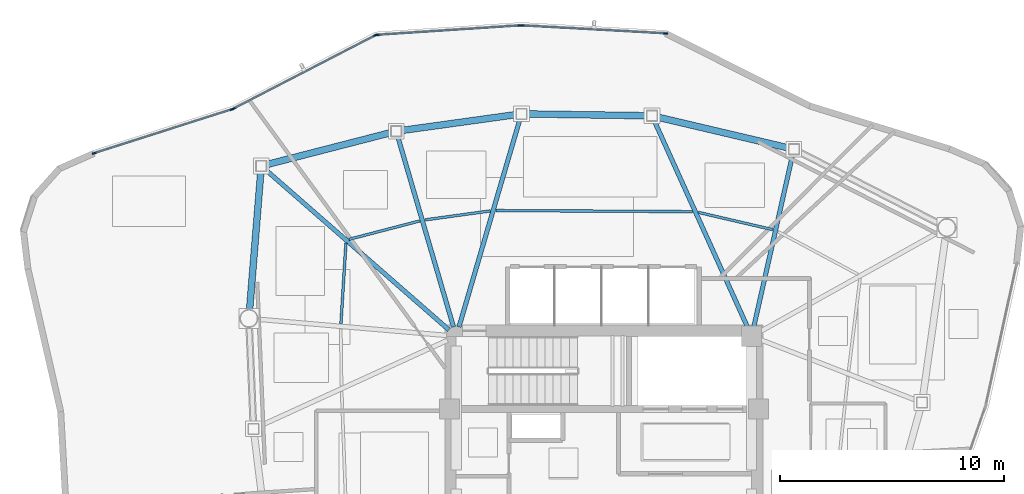
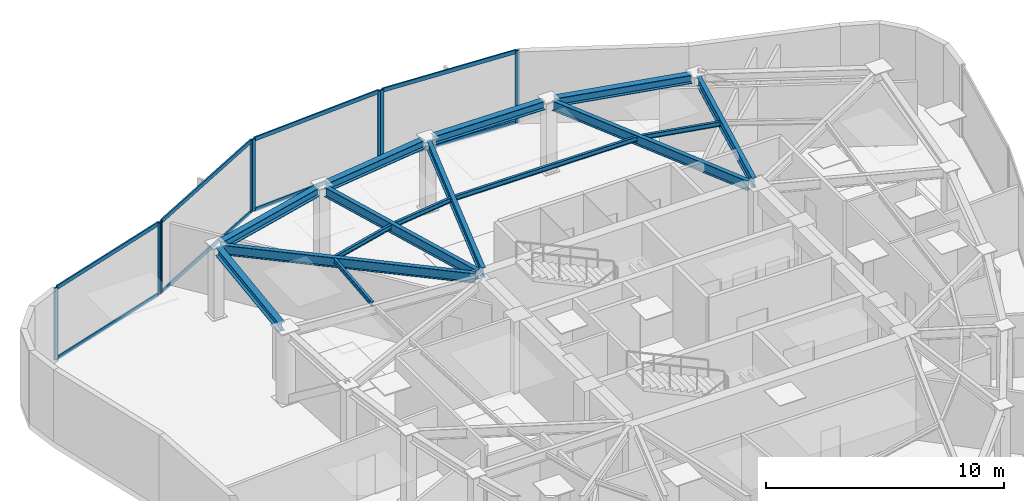
# One storey, part 5 of 13: 16 members, 15 beams, 4 elements without a shape of their own.
"""IFC4 building model written with IfcOpenShell, lengths in metres."""

from ifc_helpers import new_model, si_unit, direction, frame, origin, origin_2d, place, context, subcontext, project, spatial, hollow_rectangle, i_section, extrude, source, transform, mapped, material, layer, layer_set, material_profile, profile_set, type_object, type_shapes, element, aggregate, save


model = new_model("IFC4")

# Units and contexts
model_context = context("Model", 3, precision=1e-05, world=origin(), true_north=direction((0.0, 1.0)))
body_context = subcontext(model_context, "Body", "Model", "MODEL_VIEW")
ifc_project = project(units=[si_unit("LENGTHUNIT", "METRE"), si_unit("AREAUNIT", "SQUARE_METRE"), si_unit("VOLUMEUNIT", "CUBIC_METRE"), si_unit("PLANEANGLEUNIT", "RADIAN"), si_unit("MASSUNIT", "GRAM", prefix="KILO")], contexts=[model_context])

# Site, building, storey
site_placement = place(None, origin())
site = spatial("IfcSite", under=ifc_project, at=site_placement, CompositionType="ELEMENT")
building_placement = place(site_placement, origin())
building = spatial("IfcBuilding", under=site, at=building_placement, Name="Tavelor Broadcast Tower", CompositionType="ELEMENT")
storey_placement = place(building_placement, frame((0.0, 0.0, 297.5)))
storey = spatial("IfcBuildingStorey", under=building, at=storey_placement, Name="L71", CompositionType="ELEMENT", Elevation=297.5)

# Beams
ifc_material_1 = material(Name="Steel S355", Category="steel")
ifc_material_profile_1 = material_profile(ifc_material_1, i_section(OverallWidth=0.1201171875, OverallDepth=0.239990234375, WebThickness=0.006103515625, FlangeThickness=0.009765625, at=origin_2d()), Name="IPE 240")
ifc_profile_set_1 = profile_set([ifc_material_profile_1], Name="Steel S355")
beam_type_1 = type_object("IfcBeamType", Name="Composite Floor Joist T7 IPE 240", PredefinedType="JOIST", material=ifc_profile_set_1)
beam_1_placement = place(storey_placement, frame((57.54248046875, 55.96337890625, 3.580078125), z_axis=(-0.974044982297, 0.226354528257, 0.0), x_axis=(-0.226354528257, -0.974044982297, 0.0)))
element("IfcBeam", 1, at=beam_1_placement, inside=storey, type_object=beam_type_1, Name="L71 Secondary Composite Floor Joist 14", PredefinedType="JOIST", context=body_context, shape_type="SweptSolid", body=[
    extrude(i_section(OverallWidth=0.1201171875, OverallDepth=0.239990234375, WebThickness=0.006103515625, FlangeThickness=0.009765625, at=origin_2d()), origin(), (0.0, 0.0, 1.0), 3.42236328125),
])
beam_2_placement = place(storey_placement, frame((53.954345703125, 56.76806640625, 3.580078125), z_axis=(-0.999984057593, 0.005646641549, 0.0), x_axis=(-0.005646641549, -0.999984057593, 0.0)))
element("IfcBeam", 2, at=beam_2_placement, inside=storey, type_object=beam_type_1, Name="L71 Secondary Composite Floor Joist 15", PredefinedType="JOIST", context=body_context, shape_type="SweptSolid", body=[
    extrude(i_section(OverallWidth=0.1201171875, OverallDepth=0.239990234375, WebThickness=0.006103515625, FlangeThickness=0.009765625, at=origin_2d()), origin(), (0.0, 0.0, 1.0), 8.777099609375),
])
beam_3_placement = place(storey_placement, frame((44.920654296875, 56.80078125, 3.580078125), z_axis=(-0.990691592416, -0.136125562317, 0.0), x_axis=(0.136125562317, -0.990691592416, 0.0)))
element("IfcBeam", 3, at=beam_3_placement, inside=storey, type_object=beam_type_1, Name="L71 Secondary Composite Floor Joist 16", PredefinedType="JOIST", context=body_context, shape_type="SweptSolid", body=[
    extrude(i_section(OverallWidth=0.1201171875, OverallDepth=0.239990234375, WebThickness=0.006103515625, FlangeThickness=0.009765625, at=origin_2d()), origin(), (0.0, 0.0, 1.0), 2.937744140625),
])
beam_4_placement = place(storey_placement, frame((41.757568359375, 56.35107421875, 3.580078125), z_axis=(-0.967742888196, -0.251939878435, 0.0), x_axis=(0.251939878435, -0.967742888196, 0.0)))
element("IfcBeam", 4, at=beam_4_placement, inside=storey, type_object=beam_type_1, Name="L71 Secondary Composite Floor Joist 17", PredefinedType="JOIST", context=body_context, shape_type="SweptSolid", body=[
    extrude(i_section(OverallWidth=0.1201171875, OverallDepth=0.239990234375, WebThickness=0.006103515625, FlangeThickness=0.009765625, at=origin_2d()), origin(), (0.0, 0.0, 1.0), 3.2578125),
])
beam_5_placement = place(storey_placement, frame((38.471923828125, 55.368896484375, 3.580078125), z_axis=(-0.062188497897, -0.998064422134, 0.0), x_axis=(0.998064422134, -0.062188497897, 0.0)))
element("IfcBeam", 5, at=beam_5_placement, inside=storey, type_object=beam_type_1, Name="L71 Secondary Composite Floor Joist 18", PredefinedType="JOIST", context=body_context, shape_type="SweptSolid", body=[
    extrude(i_section(OverallWidth=0.1201171875, OverallDepth=0.239990234375, WebThickness=0.006103515625, FlangeThickness=0.009765625, at=origin_2d()), origin(), (0.0, 0.0, 1.0), 3.60400390625),
])
ifc_material_profile_2 = material_profile(ifc_material_1, i_section(OverallWidth=0.300048828125, OverallDepth=0.43994140625, WebThickness=0.011474609375, FlangeThickness=0.02099609375, at=origin_2d()), Name="HEA 450")
ifc_profile_set_2 = profile_set([ifc_material_profile_2], Name="Steel S355")
beam_type_2 = type_object("IfcBeamType", Name="Perimeter Spandrel Beam T7 HEA 450", PredefinedType="SPANDREL", material=ifc_profile_set_2)
beam_6_placement = place(storey_placement, frame((58.251953125, 59.6123046875, 3.47998046875), z_axis=(-0.973341210947, 0.229361912863, 0.0), x_axis=(-0.229361912863, -0.973341210947, 0.0)))
element("IfcBeam", 6, at=beam_6_placement, inside=storey, type_object=beam_type_2, Name="L71 Framed-Tube Ring Spandrel 14", PredefinedType="SPANDREL", context=body_context, shape_type="SweptSolid", body=[
    extrude(i_section(OverallWidth=0.300048828125, OverallDepth=0.43994140625, WebThickness=0.011474609375, FlangeThickness=0.02099609375, at=origin_2d()), origin(), (0.0, 0.0, 1.0), 6.0322265625),
])
beam_7_placement = place(storey_placement, frame((51.906982421875, 61.054443359375, 3.47998046875), z_axis=(-0.999890103457, 0.014825012939, 0.0), x_axis=(-0.014825012939, -0.999890103457, 0.0)))
element("IfcBeam", 7, at=beam_7_placement, inside=storey, type_object=beam_type_2, Name="L71 Framed-Tube Ring Spandrel 15", PredefinedType="SPANDREL", context=body_context, shape_type="SweptSolid", body=[
    extrude(i_section(OverallWidth=0.300048828125, OverallDepth=0.43994140625, WebThickness=0.011474609375, FlangeThickness=0.02099609375, at=origin_2d()), origin(), (0.0, 0.0, 1.0), 5.35205078125),
])
beam_8_placement = place(storey_placement, frame((46.077880859375, 61.104248046875, 3.47998046875), z_axis=(-0.99051816585, -0.137381815101, 0.0), x_axis=(0.137381815101, -0.99051816585, 0.0)))
element("IfcBeam", 8, at=beam_8_placement, inside=storey, type_object=beam_type_2, Name="L71 Framed-Tube Ring Spandrel 16", PredefinedType="SPANDREL", context=body_context, shape_type="SweptSolid", body=[
    extrude(i_section(OverallWidth=0.300048828125, OverallDepth=0.43994140625, WebThickness=0.011474609375, FlangeThickness=0.02099609375, at=origin_2d()), origin(), (0.0, 0.0, 1.0), 5.17138671875),
])
beam_9_placement = place(storey_placement, frame((40.485595703125, 60.301025390625, 3.47998046875), z_axis=(-0.968436978706, -0.249258537014, 0.0), x_axis=(0.249258537014, -0.968436978706, 0.0)))
element("IfcBeam", 9, at=beam_9_placement, inside=storey, type_object=beam_type_2, Name="L71 Framed-Tube Ring Spandrel 17", PredefinedType="SPANDREL", context=body_context, shape_type="SweptSolid", body=[
    extrude(i_section(OverallWidth=0.300048828125, OverallDepth=0.43994140625, WebThickness=0.011474609375, FlangeThickness=0.02099609375, at=origin_2d()), origin(), (0.0, 0.0, 1.0), 5.74560546875),
])
beam_10_placement = place(storey_placement, frame((34.669677734375, 58.56982421875, 3.47998046875), z_axis=(-0.081085240328, -0.996707170538, 0.0), x_axis=(0.996707170538, -0.081085240328, 0.0)))
element("IfcBeam", 10, at=beam_10_placement, inside=storey, type_object=beam_type_2, Name="L71 Framed-Tube Ring Spandrel 18", PredefinedType="SPANDREL", context=body_context, shape_type="SweptSolid", body=[
    extrude(i_section(OverallWidth=0.300048828125, OverallDepth=0.43994140625, WebThickness=0.011474609375, FlangeThickness=0.02099609375, at=origin_2d()), origin(), (0.0, 0.0, 1.0), 6.20556640625),
])
ifc_material_profile_3 = material_profile(ifc_material_1, i_section(OverallWidth=0.199951171875, OverallDepth=0.5, WebThickness=0.01025390625, FlangeThickness=0.01611328125, at=origin_2d()), Name="IPE 500")
ifc_profile_set_3 = profile_set([ifc_material_profile_3], Name="Steel S355")
beam_type_3 = type_object("IfcBeamType", Name="Radial Floor Girder T7 IPE 500", PredefinedType="BEAM", material=ifc_profile_set_3)
beam_11_placement = place(storey_placement, frame((56.695068359375, 51.621337890625, 3.449951171875), z_axis=(0.22010521598, 0.975476137021, 0.0), x_axis=(-0.975476137021, 0.22010521598, 0.0)))
element("IfcBeam", 11, at=beam_11_placement, inside=storey, type_object=beam_type_3, Name="L71 Radial Primary Floor Girder 14", PredefinedType="BEAM", context=body_context, shape_type="SweptSolid", body=[
    extrude(i_section(OverallWidth=0.199951171875, OverallDepth=0.5, WebThickness=0.01025390625, FlangeThickness=0.01611328125, at=origin_2d()), origin(), (0.0, 0.0, 1.0), 7.895263671875),
])
beam_12_placement = place(storey_placement, frame((56.422119140625, 51.59375, 3.449951171875), z_axis=(-0.411897039455, 0.911230392869, 0.0), x_axis=(-0.911230392869, -0.411897039455, 0.0)))
element("IfcBeam", 12, at=beam_12_placement, inside=storey, type_object=beam_type_3, Name="L71 Radial Primary Floor Girder 15", PredefinedType="BEAM", context=body_context, shape_type="SweptSolid", body=[
    extrude(i_section(OverallWidth=0.199951171875, OverallDepth=0.5, WebThickness=0.01025390625, FlangeThickness=0.01611328125, at=origin_2d()), origin(), (0.0, 0.0, 1.0), 10.138427734375),
])
beam_13_placement = place(storey_placement, frame((43.521484375, 51.614501953125, 3.449951171875), z_axis=(0.281523398042, 0.959554363418, 0.0), x_axis=(-0.959554363418, 0.281523398042, 0.0)))
element("IfcBeam", 13, at=beam_13_placement, inside=storey, type_object=beam_type_3, Name="L71 Radial Primary Floor Girder 16", PredefinedType="BEAM", context=body_context, shape_type="SweptSolid", body=[
    extrude(i_section(OverallWidth=0.199951171875, OverallDepth=0.5, WebThickness=0.01025390625, FlangeThickness=0.01611328125, at=origin_2d()), origin(), (0.0, 0.0, 1.0), 9.68408203125),
])
beam_14_placement = place(storey_placement, frame((43.278564453125, 51.614501953125, 3.449951171875), z_axis=(-0.280965508075, 0.959717866496, 0.0), x_axis=(-0.959717866496, -0.280965508075, 0.0)))
element("IfcBeam", 14, at=beam_14_placement, inside=storey, type_object=beam_type_3, Name="L71 Radial Primary Floor Girder 17", PredefinedType="BEAM", context=body_context, shape_type="SweptSolid", body=[
    extrude(i_section(OverallWidth=0.199951171875, OverallDepth=0.5, WebThickness=0.01025390625, FlangeThickness=0.01611328125, at=origin_2d()), origin(), (0.0, 0.0, 1.0), 8.87353515625),
])
beam_15_placement = place(storey_placement, frame((43.07470703125, 51.484130859375, 3.449951171875), z_axis=(-0.753133106232, 0.657868166351, 0.0), x_axis=(-0.657868166351, -0.753133106232, 0.0)))
element("IfcBeam", 15, at=beam_15_placement, inside=storey, type_object=beam_type_3, Name="L71 Radial Primary Floor Girder 18", PredefinedType="BEAM", context=body_context, shape_type="SweptSolid", body=[
    extrude(i_section(OverallWidth=0.199951171875, OverallDepth=0.5, WebThickness=0.01025390625, FlangeThickness=0.01611328125, at=origin_2d()), origin(), (0.0, 0.0, 1.0), 10.894287109375),
])

# Curtain wall, members
ifc_material_2 = material(Name="Architectural Anodized Aluminium", Category="aluminium")
ifc_layer = layer(ifc_material_2, 0.199951171875)
ifc_layer_set = layer_set([ifc_layer], Name="Architectural Anodized Aluminium")
curtain_wall_type = type_object("IfcCurtainWallType", Name="Tower High-Zone Triple-Glazed Curtain Wall CW04", PredefinedType="NOTDEFINED", material=ifc_layer_set)
curtain_wall_1_placement = place(storey_placement, origin())
curtain_wall_1 = element("IfcCurtainWall", 16, at=curtain_wall_1_placement, inside=storey, type_object=curtain_wall_type, Name="L71 Curtain Wall CW04 Run 789", PredefinedType="NOTDEFINED")
ifc_material_profile_4 = material_profile(ifc_material_2, hollow_rectangle(XDim=0.070068359375, YDim=0.199951171875, WallThickness=0.02197265625, at=origin_2d()), Name="RHS 70x200x22")
ifc_profile_set_4 = profile_set([ifc_material_profile_4], Name="Architectural Anodized Aluminium")
member_type_1 = type_object("IfcMemberType", Name="CW04 Extruded Aluminium Mullion 70x200", PredefinedType="MULLION", material=ifc_profile_set_4)
shared_shape_1 = source(origin(), body_context, "Body", "SweptSolid", [
    extrude(hollow_rectangle(XDim=0.070068359375, YDim=0.199951171875, WallThickness=0.02197265625, at=origin_2d()), origin(), (0.0, 0.0, 1.0), 3.699951171875),
])
type_shapes(member_type_1, [shared_shape_1])
member_1_placement = place(storey_placement, frame((52.743408203125, 64.731689453125, 0.0), z_axis=(0.0, 0.0, 1.0), x_axis=(-0.055399062324, -0.998464292748, 0.0)))
member_1 = element("IfcMember", 17, at=member_1_placement, type_object=member_type_1, Name="CW04 mullion 1", PredefinedType="MULLION", context=body_context, shape_type="MappedRepresentation", body=[
    mapped(shared_shape_1, transform((0.0, 0.0, 0.0), scale=1.0)),
])
member_2_placement = place(storey_placement, frame((46.3447265625, 65.086669921875, 0.0), z_axis=(0.0, 0.0, 1.0), x_axis=(-0.055399062324, -0.998464292748, 0.0)))
member_2 = element("IfcMember", 18, at=member_2_placement, type_object=member_type_1, Name="CW04 mullion 2", PredefinedType="MULLION", context=body_context, shape_type="MappedRepresentation", body=[
    mapped(shared_shape_1, transform((0.0, 0.0, 0.0), scale=1.0)),
])

curtain_wall_2_placement = place(storey_placement, origin())
curtain_wall_2 = element("IfcCurtainWall", 19, at=curtain_wall_2_placement, inside=storey, type_object=curtain_wall_type, Name="L71 Curtain Wall CW04 Run 790", PredefinedType="NOTDEFINED")
member_3_placement = place(storey_placement, frame((46.244873046875, 65.086181640625, 0.0), z_axis=(0.0, 0.0, 1.0), x_axis=(0.065862820125, -0.997828687163, 0.0)))
member_3 = element("IfcMember", 20, at=member_3_placement, type_object=member_type_1, Name="CW04 mullion 1", PredefinedType="MULLION", context=body_context, shape_type="MappedRepresentation", body=[
    mapped(shared_shape_1, transform((0.0, 0.0, 0.0), scale=1.0)),
])
member_4_placement = place(storey_placement, frame((39.865478515625, 64.665283203125, 0.0), z_axis=(0.0, 0.0, 1.0), x_axis=(0.065862820125, -0.997828687163, 0.0)))
member_4 = element("IfcMember", 21, at=member_4_placement, type_object=member_type_1, Name="CW04 mullion 2", PredefinedType="MULLION", context=body_context, shape_type="MappedRepresentation", body=[
    mapped(shared_shape_1, transform((0.0, 0.0, 0.0), scale=1.0)),
])

curtain_wall_3_placement = place(storey_placement, origin())
curtain_wall_3 = element("IfcCurtainWall", 22, at=curtain_wall_3_placement, inside=storey, type_object=curtain_wall_type, Name="L71 Curtain Wall CW04 Run 791", PredefinedType="NOTDEFINED")
member_5_placement = place(storey_placement, frame((39.77099609375, 64.638916015625, 0.0), z_axis=(0.0, 0.0, 1.0), x_axis=(0.459634743768, -0.888108046536, 0.0)))
member_5 = element("IfcMember", 23, at=member_5_placement, type_object=member_type_1, Name="CW04 mullion 1", PredefinedType="MULLION", context=body_context, shape_type="MappedRepresentation", body=[
    mapped(shared_shape_1, transform((0.0, 0.0, 0.0), scale=1.0)),
])
member_6_placement = place(storey_placement, frame((33.46923828125, 61.37744140625, 0.0), z_axis=(0.0, 0.0, 1.0), x_axis=(0.459634743768, -0.888108046536, 0.0)))
member_6 = element("IfcMember", 24, at=member_6_placement, type_object=member_type_1, Name="CW04 mullion 2", PredefinedType="MULLION", context=body_context, shape_type="MappedRepresentation", body=[
    mapped(shared_shape_1, transform((0.0, 0.0, 0.0), scale=1.0)),
])

curtain_wall_4_placement = place(storey_placement, origin())
curtain_wall_4 = element("IfcCurtainWall", 25, at=curtain_wall_4_placement, inside=storey, type_object=curtain_wall_type, Name="L71 Curtain Wall CW04 Run 792", PredefinedType="NOTDEFINED")
member_7_placement = place(storey_placement, frame((33.377197265625, 61.33935546875, 0.0), z_axis=(0.0, 0.0, 1.0), x_axis=(0.30364420657, -0.952785493076, 0.0)))
member_7 = element("IfcMember", 26, at=member_7_placement, type_object=member_type_1, Name="CW04 mullion 1", PredefinedType="MULLION", context=body_context, shape_type="MappedRepresentation", body=[
    mapped(shared_shape_1, transform((0.0, 0.0, 0.0), scale=1.0)),
])
member_8_placement = place(storey_placement, frame((27.231201171875, 59.380615234375, 0.0), z_axis=(0.0, 0.0, 1.0), x_axis=(0.30364420657, -0.952785493076, 0.0)))
member_8 = element("IfcMember", 27, at=member_8_placement, type_object=member_type_1, Name="CW04 mullion 2", PredefinedType="MULLION", context=body_context, shape_type="MappedRepresentation", body=[
    mapped(shared_shape_1, transform((0.0, 0.0, 0.0), scale=1.0)),
])

# Member
ifc_material_profile_5 = material_profile(ifc_material_2, hollow_rectangle(XDim=0.070068359375, YDim=0.199951171875, WallThickness=0.02197265625, at=origin_2d()), Name="RHS 70x200x22")
ifc_profile_set_5 = profile_set([ifc_material_profile_5], Name="Architectural Anodized Aluminium")
member_type_2 = type_object("IfcMemberType", Name="CW04 Extruded Aluminium Transom 70x200", PredefinedType="USERDEFINED", material=ifc_profile_set_5)
shared_shape_2 = source(origin(), body_context, "Body", "SweptSolid", [
    extrude(hollow_rectangle(XDim=0.070068359375, YDim=0.199951171875, WallThickness=0.02197265625, at=origin_2d()), origin(), (0.0, 0.0, 1.0), 6.3232421875),
])
member_9_placement = place(storey_placement, frame((46.2099609375, 65.083984375, 0.034912109375), z_axis=(-0.997828338723, -0.065868098818, 0.0), x_axis=(0.065868098818, -0.997828338723, 0.0)))
member_9 = element("IfcMember", 28, at=member_9_placement, type_object=member_type_2, Name="CW04 transom 1.1", ObjectType="TRANSOM", PredefinedType="USERDEFINED", context=body_context, shape_type="MappedRepresentation", body=[
    mapped(shared_shape_2, transform((0.0, 0.0, 0.0), scale=1.0)),
])

member_10_placement = place(storey_placement, frame((46.2099609375, 65.083984375, 3.6650390625), z_axis=(-0.997828338723, -0.065868098818, 0.0), x_axis=(0.065868098818, -0.997828338723, 0.0)))
member_10 = element("IfcMember", 29, at=member_10_placement, type_object=member_type_2, Name="CW04 transom 1.2", ObjectType="TRANSOM", PredefinedType="USERDEFINED", context=body_context, shape_type="MappedRepresentation", body=[
    mapped(shared_shape_2, transform((0.0, 0.0, 0.0), scale=1.0)),
])

aggregate(curtain_wall_2, [member_3, member_4, member_9, member_10])

shared_shape_3 = source(origin(), body_context, "Body", "SweptSolid", [
    extrude(hollow_rectangle(XDim=0.070068359375, YDim=0.199951171875, WallThickness=0.02197265625, at=origin_2d()), origin(), (0.0, 0.0, 1.0), 6.38037109375),
])
member_11_placement = place(storey_placement, frame((33.34375, 61.32861328125, 0.034912109375), z_axis=(-0.952789999409, -0.303630066077, 0.0), x_axis=(0.303630066077, -0.952789999409, 0.0)))
member_11 = element("IfcMember", 30, at=member_11_placement, type_object=member_type_2, Name="CW04 transom 1.1", ObjectType="TRANSOM", PredefinedType="USERDEFINED", context=body_context, shape_type="MappedRepresentation", body=[
    mapped(shared_shape_3, transform((0.0, 0.0, 0.0), scale=1.0)),
])

member_12_placement = place(storey_placement, frame((33.34375, 61.32861328125, 3.6650390625), z_axis=(-0.952789999409, -0.303630066077, 0.0), x_axis=(0.303630066077, -0.952789999409, 0.0)))
member_12 = element("IfcMember", 31, at=member_12_placement, type_object=member_type_2, Name="CW04 transom 1.2", ObjectType="TRANSOM", PredefinedType="USERDEFINED", context=body_context, shape_type="MappedRepresentation", body=[
    mapped(shared_shape_3, transform((0.0, 0.0, 0.0), scale=1.0)),
])

aggregate(curtain_wall_4, [member_7, member_8, member_11, member_12])

shared_shape_4 = source(origin(), body_context, "Body", "SweptSolid", [
    extrude(hollow_rectangle(XDim=0.070068359375, YDim=0.199951171875, WallThickness=0.02197265625, at=origin_2d()), origin(), (0.0, 0.0, 1.0), 6.338623046875),
])
member_13_placement = place(storey_placement, frame((52.70849609375, 64.733642578125, 0.034912109375), z_axis=(-0.998464971727, 0.055386823645, 0.0), x_axis=(-0.055386823645, -0.998464971727, 0.0)))
member_13 = element("IfcMember", 32, at=member_13_placement, type_object=member_type_2, Name="CW04 transom 1.1", ObjectType="TRANSOM", PredefinedType="USERDEFINED", context=body_context, shape_type="MappedRepresentation", body=[
    mapped(shared_shape_4, transform((0.0, 0.0, 0.0), scale=1.0)),
])

member_14_placement = place(storey_placement, frame((52.70849609375, 64.733642578125, 3.6650390625), z_axis=(-0.998464971727, 0.055386823645, 0.0), x_axis=(-0.055386823645, -0.998464971727, 0.0)))
member_14 = element("IfcMember", 33, at=member_14_placement, type_object=member_type_2, Name="CW04 transom 1.2", ObjectType="TRANSOM", PredefinedType="USERDEFINED", context=body_context, shape_type="MappedRepresentation", body=[
    mapped(shared_shape_4, transform((0.0, 0.0, 0.0), scale=1.0)),
])

aggregate(curtain_wall_1, [member_1, member_2, member_13, member_14])

shared_shape_5 = source(origin(), body_context, "Body", "SweptSolid", [
    extrude(hollow_rectangle(XDim=0.070068359375, YDim=0.199951171875, WallThickness=0.02197265625, at=origin_2d()), origin(), (0.0, 0.0, 1.0), 7.02587890625),
])
type_shapes(member_type_2, [shared_shape_2, shared_shape_3, shared_shape_4, shared_shape_5])
member_15_placement = place(storey_placement, frame((39.739990234375, 64.622802734375, 0.034912109375), z_axis=(-0.888113471298, -0.459624261869, 0.0), x_axis=(0.459624261869, -0.888113471298, 0.0)))
member_15 = element("IfcMember", 34, at=member_15_placement, type_object=member_type_2, Name="CW04 transom 1.1", ObjectType="TRANSOM", PredefinedType="USERDEFINED", context=body_context, shape_type="MappedRepresentation", body=[
    mapped(shared_shape_5, transform((0.0, 0.0, 0.0), scale=1.0)),
])

member_16_placement = place(storey_placement, frame((39.739990234375, 64.622802734375, 3.6650390625), z_axis=(-0.888113471298, -0.459624261869, 0.0), x_axis=(0.459624261869, -0.888113471298, 0.0)))
member_16 = element("IfcMember", 35, at=member_16_placement, type_object=member_type_2, Name="CW04 transom 1.2", ObjectType="TRANSOM", PredefinedType="USERDEFINED", context=body_context, shape_type="MappedRepresentation", body=[
    mapped(shared_shape_5, transform((0.0, 0.0, 0.0), scale=1.0)),
])

aggregate(curtain_wall_3, [member_5, member_6, member_15, member_16])

save(model, "model.ifc")
